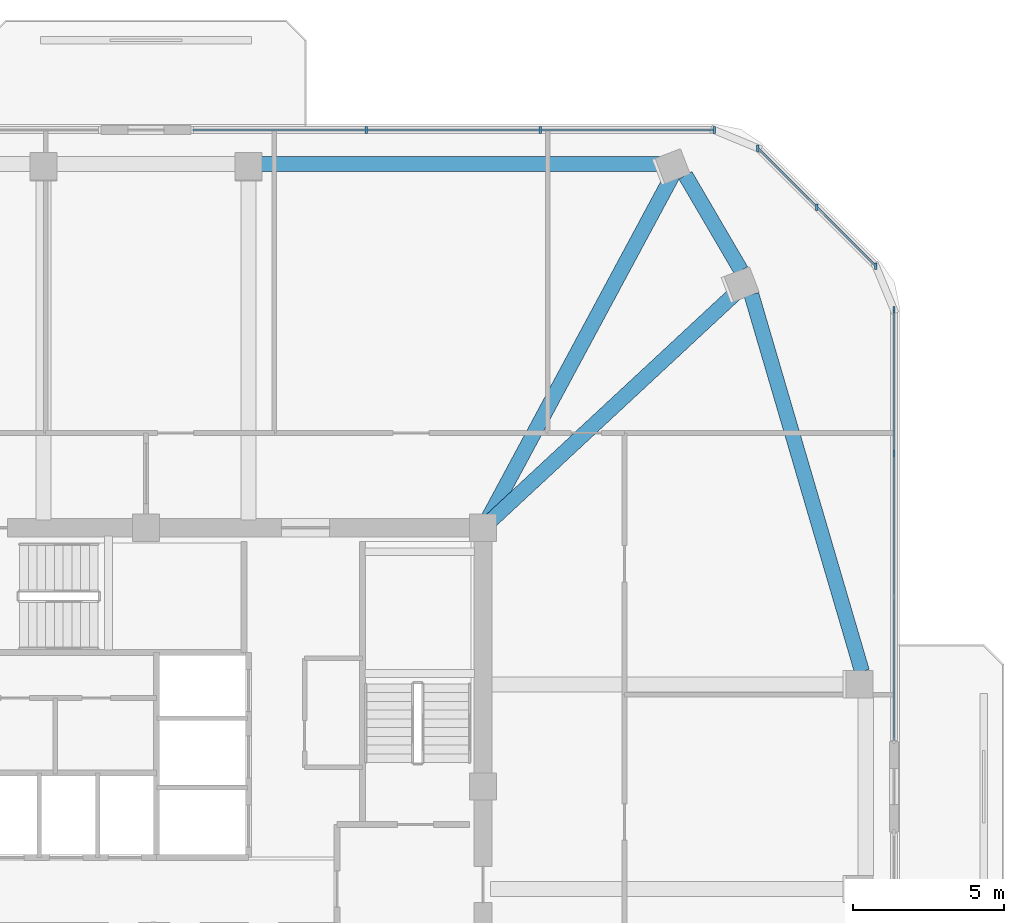
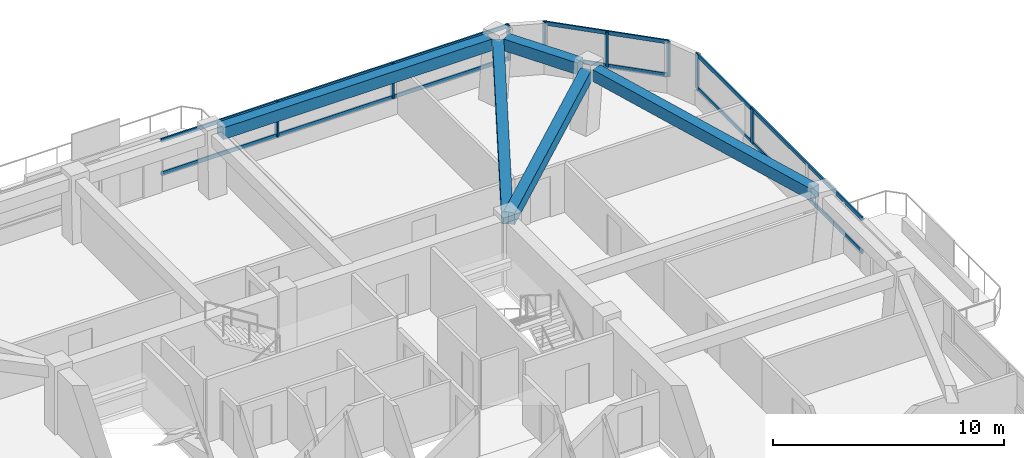
# One storey, part 7 of 13: 14 members, 5 beams, 3 elements without a shape of their own.
"""IFC4 building model written with IfcOpenShell, lengths in metres."""

from ifc_helpers import new_model, si_unit, derived_unit, direction, frame, origin, origin_2d, place, context, subcontext, project, spatial, rectangle, extrude, material, material_profile, profile_set, type_object, element, aggregate, save


model = new_model("IFC4")

# Units and contexts
model_context = context("Model", 3, precision=1e-05, world=origin(), true_north=direction((0.0, 1.0)))
body_context = subcontext(model_context, "Body", "Model", "MODEL_VIEW")
ifc_project = project(units=[si_unit("LENGTHUNIT", "METRE"), si_unit("AREAUNIT", "SQUARE_METRE"), si_unit("VOLUMEUNIT", "CUBIC_METRE"), si_unit("PLANEANGLEUNIT", "RADIAN"), si_unit("MASSUNIT", "GRAM", prefix="KILO"), derived_unit("THERMALTRANSMITTANCEUNIT", [(si_unit("POWERUNIT", "WATT"), 1), (si_unit("LENGTHUNIT", "METRE"), -2), (si_unit("THERMODYNAMICTEMPERATUREUNIT", "KELVIN"), -1)])], contexts=[model_context])

# Site, building, storey
site_placement = place(None, origin())
site = spatial("IfcSite", under=ifc_project, at=site_placement, CompositionType="ELEMENT")
building_placement = place(site_placement, origin())
building = spatial("IfcBuilding", under=site, at=building_placement, Name="Koralith Skygarden Medical Center", CompositionType="ELEMENT")
storey_placement = place(building_placement, frame((0.0, 0.0, 196.3798828125)))
storey = spatial("IfcBuildingStorey", under=building, at=storey_placement, Name="L50", CompositionType="ELEMENT", Elevation=196.3798828125)

# Curtain wall, members
ifc_material_1 = material(Name="Clear Laminated Glass", Category="glass")
curtain_wall_type = type_object("IfcCurtainWallType", Name="CW-5 Zone 4 Flare Biophilic Curtain Wall", PredefinedType="NOTDEFINED", material=ifc_material_1)
curtain_wall_1_placement = place(storey_placement, origin())
curtain_wall_1 = element("IfcCurtainWall", 1, at=curtain_wall_1_placement, inside=storey, type_object=curtain_wall_type, Name="Curtain Wall CW-L50-E-R", PredefinedType="NOTDEFINED")
ifc_material_2 = material(Name="Aluminium 6063-T6", Category="aluminium")
ifc_material_profile_1 = material_profile(ifc_material_2, rectangle(XDim=0.080078125, YDim=0.219970703125, at=origin_2d()), Name="MUL80X220")
ifc_profile_set_1 = profile_set([ifc_material_profile_1], Name="Aluminium 6063-T6")
member_type_1 = type_object("IfcMemberType", Name="CW-5 Extruded Mullion 80x220", PredefinedType="MULLION", material=ifc_profile_set_1)
member_1_placement = place(storey_placement, frame((61.845947265625, 36.969970703125, 0.85009765625), z_axis=(0.0, 0.0, 1.0), x_axis=(1.0, 0.0, 0.0)))
member_1 = element("IfcMember", 2, at=member_1_placement, type_object=member_type_1, Name="CW-L50-E-R Mullion 3", PredefinedType="MULLION", context=body_context, shape_type="SweptSolid", body=[
    extrude(rectangle(XDim=0.080078125, YDim=0.219970703125, at=origin_2d()), origin(), (0.0, 0.0, 1.0), 1.840087890625),
])
member_2_placement = place(storey_placement, frame((61.845947265625, 41.735107421875, 0.85009765625), z_axis=(0.0, 0.0, 1.0), x_axis=(1.0, 0.0, 0.0)))
member_2 = element("IfcMember", 3, at=member_2_placement, type_object=member_type_1, Name="CW-L50-E-R Mullion 4", PredefinedType="MULLION", context=body_context, shape_type="SweptSolid", body=[
    extrude(rectangle(XDim=0.080078125, YDim=0.219970703125, at=origin_2d()), origin(), (0.0, 0.0, 1.0), 1.840087890625),
])

curtain_wall_2_placement = place(storey_placement, origin())
curtain_wall_2 = element("IfcCurtainWall", 4, at=curtain_wall_2_placement, inside=storey, type_object=curtain_wall_type, Name="Curtain Wall CW-L50-NE", PredefinedType="NOTDEFINED")
member_3_placement = place(storey_placement, frame((61.243896484375, 43.18603515625, 0.85009765625), z_axis=(0.0, 0.0, 1.0), x_axis=(1.0, 0.0, 0.0)))
member_3 = element("IfcMember", 5, at=member_3_placement, type_object=member_type_1, Name="CW-L50-NE Mullion 1", PredefinedType="MULLION", context=body_context, shape_type="SweptSolid", body=[
    extrude(rectangle(XDim=0.080078125, YDim=0.219970703125, at=origin_2d()), origin(), (0.0, 0.0, 1.0), 1.840087890625),
])
member_4_placement = place(storey_placement, frame((59.281982421875, 45.14794921875, 0.85009765625), z_axis=(0.0, 0.0, 1.0), x_axis=(1.0, 0.0, 0.0)))
member_4 = element("IfcMember", 6, at=member_4_placement, type_object=member_type_1, Name="CW-L50-NE Mullion 2", PredefinedType="MULLION", context=body_context, shape_type="SweptSolid", body=[
    extrude(rectangle(XDim=0.080078125, YDim=0.219970703125, at=origin_2d()), origin(), (0.0, 0.0, 1.0), 1.840087890625),
])
member_5_placement = place(storey_placement, frame((57.321044921875, 47.10888671875, 0.85009765625), z_axis=(0.0, 0.0, 1.0), x_axis=(1.0, 0.0, 0.0)))
member_5 = element("IfcMember", 7, at=member_5_placement, type_object=member_type_1, Name="CW-L50-NE Mullion 3", PredefinedType="MULLION", context=body_context, shape_type="SweptSolid", body=[
    extrude(rectangle(XDim=0.080078125, YDim=0.219970703125, at=origin_2d()), origin(), (0.0, 0.0, 1.0), 1.840087890625),
])

curtain_wall_3_placement = place(storey_placement, origin())
curtain_wall_3 = element("IfcCurtainWall", 8, at=curtain_wall_3_placement, inside=storey, type_object=curtain_wall_type, Name="Curtain Wall CW-L50-N-L", PredefinedType="NOTDEFINED")
member_6_placement = place(storey_placement, frame((55.8701171875, 47.7099609375, 0.85009765625), z_axis=(0.0, 0.0, 1.0), x_axis=(1.0, 0.0, 0.0)))
member_6 = element("IfcMember", 9, at=member_6_placement, type_object=member_type_1, Name="CW-L50-N-L Mullion 1", PredefinedType="MULLION", context=body_context, shape_type="SweptSolid", body=[
    extrude(rectangle(XDim=0.080078125, YDim=0.219970703125, at=origin_2d()), origin(), (0.0, 0.0, 1.0), 1.840087890625),
])
member_7_placement = place(storey_placement, frame((50.093017578125, 47.7099609375, 0.85009765625), z_axis=(0.0, 0.0, 1.0), x_axis=(1.0, 0.0, 0.0)))
member_7 = element("IfcMember", 10, at=member_7_placement, type_object=member_type_1, Name="CW-L50-N-L Mullion 2", PredefinedType="MULLION", context=body_context, shape_type="SweptSolid", body=[
    extrude(rectangle(XDim=0.080078125, YDim=0.219970703125, at=origin_2d()), origin(), (0.0, 0.0, 1.0), 1.840087890625),
])
member_8_placement = place(storey_placement, frame((44.31689453125, 47.7099609375, 0.85009765625), z_axis=(0.0, 0.0, 1.0), x_axis=(1.0, 0.0, 0.0)))
member_8 = element("IfcMember", 11, at=member_8_placement, type_object=member_type_1, Name="CW-L50-N-L Mullion 3", PredefinedType="MULLION", context=body_context, shape_type="SweptSolid", body=[
    extrude(rectangle(XDim=0.080078125, YDim=0.219970703125, at=origin_2d()), origin(), (0.0, 0.0, 1.0), 1.840087890625),
])

# Member
ifc_material_profile_2 = material_profile(ifc_material_2, rectangle(XDim=0.074951171875, YDim=0.197998046875, at=origin_2d()), Name="TRN75X198")
ifc_profile_set_2 = profile_set([ifc_material_profile_2], Name="Aluminium 6063-T6")
member_type_2 = type_object("IfcMemberType", Name="CW-5 Thermal Transom 75x198", PredefinedType="USERDEFINED", material=ifc_profile_set_2)
member_9_placement = place(storey_placement, frame((61.845947265625, 27.43994140625, 0.900146484375), z_axis=(0.0, 1.0, 0.0), x_axis=(-1.0, 0.0, 0.0)))
member_9 = element("IfcMember", 12, at=member_9_placement, type_object=member_type_2, Name="CW-L50-E-R Transom 1", ObjectType="TRANSOM", PredefinedType="USERDEFINED", context=body_context, shape_type="SweptSolid", body=[
    extrude(rectangle(XDim=0.074951171875, YDim=0.197998046875, at=origin_2d()), origin(), (0.0, 0.0, 1.0), 14.295166015625),
])

member_10_placement = place(storey_placement, frame((61.845947265625, 27.43994140625, 2.64013671875), z_axis=(0.0, 1.0, 0.0), x_axis=(-1.0, 0.0, 0.0)))
member_10 = element("IfcMember", 13, at=member_10_placement, type_object=member_type_2, Name="CW-L50-E-R Transom 2", ObjectType="TRANSOM", PredefinedType="USERDEFINED", context=body_context, shape_type="SweptSolid", body=[
    extrude(rectangle(XDim=0.074951171875, YDim=0.197998046875, at=origin_2d()), origin(), (0.0, 0.0, 1.0), 14.295166015625),
])

aggregate(curtain_wall_1, [member_1, member_2, member_9, member_10])

member_11_placement = place(storey_placement, frame((61.243896484375, 43.18603515625, 0.900146484375), z_axis=(-0.707106781187, 0.707106781187, 0.0), x_axis=(-0.707106781187, -0.707106781187, 0.0)))
member_11 = element("IfcMember", 14, at=member_11_placement, type_object=member_type_2, Name="CW-L50-NE Transom 1", ObjectType="TRANSOM", PredefinedType="USERDEFINED", context=body_context, shape_type="SweptSolid", body=[
    extrude(rectangle(XDim=0.074951171875, YDim=0.197998046875, at=origin_2d()), origin(), (0.0, 0.0, 1.0), 5.5478515625),
])

member_12_placement = place(storey_placement, frame((61.243896484375, 43.18603515625, 2.64013671875), z_axis=(-0.707106781187, 0.707106781187, 0.0), x_axis=(-0.707106781187, -0.707106781187, 0.0)))
member_12 = element("IfcMember", 15, at=member_12_placement, type_object=member_type_2, Name="CW-L50-NE Transom 2", ObjectType="TRANSOM", PredefinedType="USERDEFINED", context=body_context, shape_type="SweptSolid", body=[
    extrude(rectangle(XDim=0.074951171875, YDim=0.197998046875, at=origin_2d()), origin(), (0.0, 0.0, 1.0), 5.5478515625),
])

aggregate(curtain_wall_2, [member_3, member_4, member_5, member_11, member_12])

member_13_placement = place(storey_placement, frame((55.8701171875, 47.7099609375, 0.900146484375), z_axis=(-1.0, 0.0, 0.0), x_axis=(0.0, -1.0, 0.0)))
member_13 = element("IfcMember", 16, at=member_13_placement, type_object=member_type_2, Name="CW-L50-N-L Transom 1", ObjectType="TRANSOM", PredefinedType="USERDEFINED", context=body_context, shape_type="SweptSolid", body=[
    extrude(rectangle(XDim=0.074951171875, YDim=0.197998046875, at=origin_2d()), origin(), (0.0, 0.0, 1.0), 17.330078125),
])

member_14_placement = place(storey_placement, frame((55.8701171875, 47.7099609375, 2.64013671875), z_axis=(-1.0, 0.0, 0.0), x_axis=(0.0, -1.0, 0.0)))
member_14 = element("IfcMember", 17, at=member_14_placement, type_object=member_type_2, Name="CW-L50-N-L Transom 2", ObjectType="TRANSOM", PredefinedType="USERDEFINED", context=body_context, shape_type="SweptSolid", body=[
    extrude(rectangle(XDim=0.074951171875, YDim=0.197998046875, at=origin_2d()), origin(), (0.0, 0.0, 1.0), 17.330078125),
])

aggregate(curtain_wall_3, [member_6, member_7, member_8, member_13, member_14])

# Beams
ifc_material_3 = material(Name="Concrete C45/55", Category="concrete")
ifc_material_profile_3 = material_profile(ifc_material_3, rectangle(XDim=0.5, YDim=0.6201171875, at=origin_2d()), Name="RCB500X620")
ifc_profile_set_3 = profile_set([ifc_material_profile_3], Name="Concrete C45/55")
beam_type_1 = type_object("IfcBeamType", Name="Upper Radial Collector Beam RCB500X620", PredefinedType="BEAM", material=ifc_profile_set_3)
beam_1_placement = place(storey_placement, frame((48.383056640625, 34.669921875, 3.010009765625), z_axis=(0.732585040624, 0.680675516126, 0.0), x_axis=(-0.680675516126, 0.732585040624, 0.0)))
element("IfcBeam", 18, at=beam_1_placement, inside=storey, type_object=beam_type_1, Name="L50 Radial Collector Beam RB-10", PredefinedType="BEAM", context=body_context, shape_type="SweptSolid", body=[
    extrude(rectangle(XDim=0.5, YDim=0.6201171875, at=origin_2d()), origin(), (0.0, 0.0, 1.0), 11.306396484375),
])
beam_2_placement = place(storey_placement, frame((48.318115234375, 34.719970703125, 3.010009765625), z_axis=(0.47347182097, 0.880808966092, 0.0), x_axis=(-0.880808966092, 0.47347182097, 0.0)))
element("IfcBeam", 19, at=beam_2_placement, inside=storey, type_object=beam_type_1, Name="L50 Radial Collector Beam RB-11", PredefinedType="BEAM", context=body_context, shape_type="SweptSolid", body=[
    extrude(rectangle(XDim=0.5, YDim=0.6201171875, at=origin_2d()), origin(), (0.0, 0.0, 1.0), 13.03125),
])
ifc_material_profile_4 = material_profile(ifc_material_3, rectangle(XDim=0.5, YDim=0.6201171875, at=origin_2d()), Name="RCB500X620")
ifc_profile_set_4 = profile_set([ifc_material_profile_4], Name="Concrete C45/55")
beam_type_2 = type_object("IfcBeamType", Name="Zone 4-5 Spandrel Beam RCB500X620", PredefinedType="SPANDREL", material=ifc_profile_set_4)
beam_3_placement = place(storey_placement, frame((60.783935546875, 29.721923828125, 3.010009765625), z_axis=(-0.281386283755, 0.959594580703, 0.0), x_axis=(-0.959594580703, -0.281386283755, 0.0)))
element("IfcBeam", 20, at=beam_3_placement, inside=storey, type_object=beam_type_2, Name="L50 Perimeter Spandrel Beam SP-09", PredefinedType="SPANDREL", context=body_context, shape_type="SweptSolid", body=[
    extrude(rectangle(XDim=0.5, YDim=0.6201171875, at=origin_2d()), origin(), (0.0, 0.0, 1.0), 13.04931640625),
])
beam_4_placement = place(storey_placement, frame((56.76611328125, 43.0458984375, 3.010009765625), z_axis=(-0.504832687441, 0.863217213505, 0.0), x_axis=(-0.863217213505, -0.504832687441, 0.0)))
element("IfcBeam", 21, at=beam_4_placement, inside=storey, type_object=beam_type_2, Name="L50 Perimeter Spandrel Beam SP-10", PredefinedType="SPANDREL", context=body_context, shape_type="SweptSolid", body=[
    extrude(rectangle(XDim=0.5, YDim=0.6201171875, at=origin_2d()), origin(), (0.0, 0.0, 1.0), 3.660888671875),
])
beam_5_placement = place(storey_placement, frame((54.256103515625, 46.5859375, 3.010009765625), z_axis=(-1.0, 0.0, 0.0), x_axis=(0.0, -1.0, 0.0)))
element("IfcBeam", 22, at=beam_5_placement, inside=storey, type_object=beam_type_2, Name="L50 Perimeter Spandrel Beam SP-11", PredefinedType="SPANDREL", context=body_context, shape_type="SweptSolid", body=[
    extrude(rectangle(XDim=0.5, YDim=0.6201171875, at=origin_2d()), origin(), (0.0, 0.0, 1.0), 13.416015625),
])

save(model, "model.ifc")
